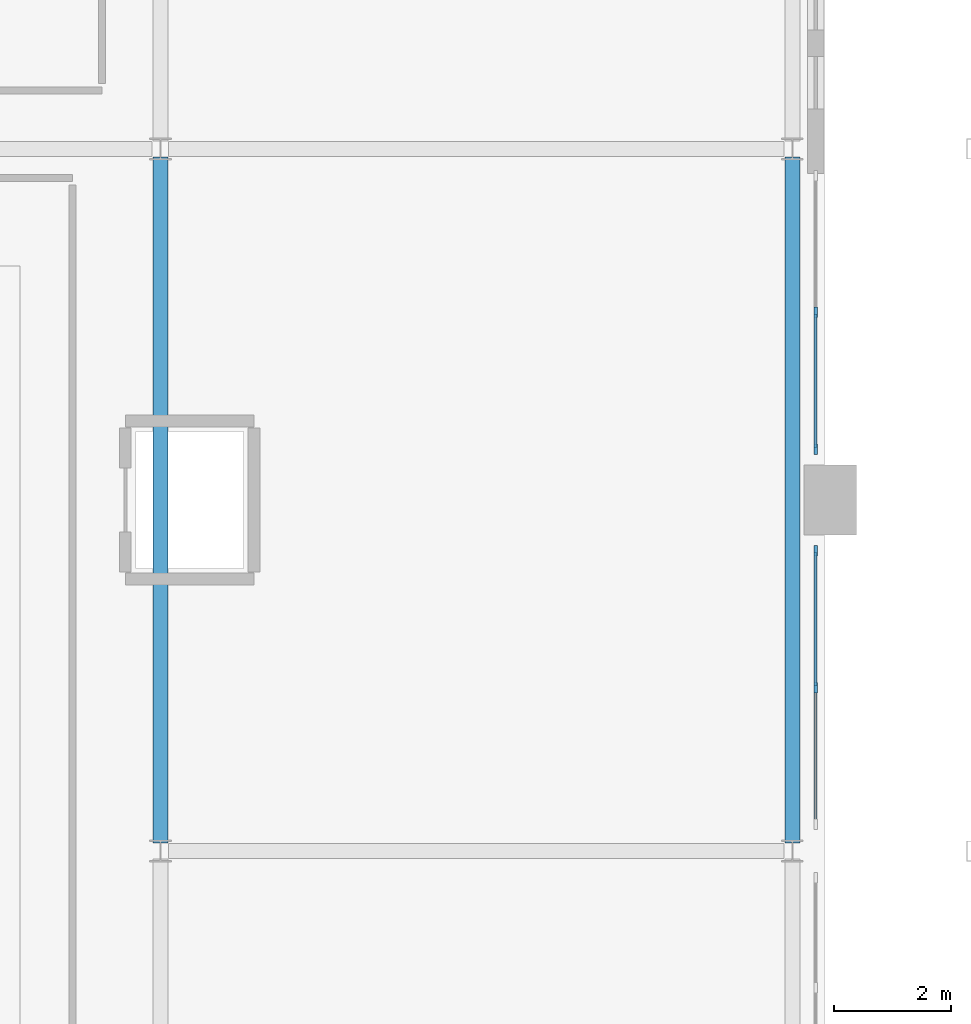
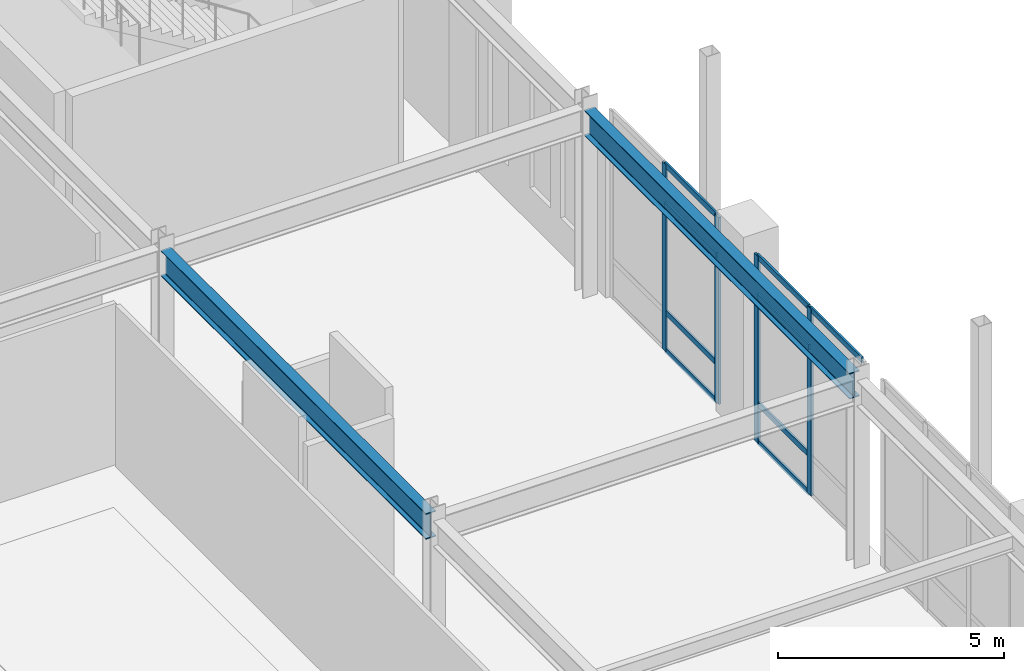
# One storey, part 73 of 159: 13 members, 2 beams, 2 elements without a shape of their own.
"""IFC4 building model written with IfcOpenShell, lengths in metres."""

import ifcopenshell
import ifcopenshell.guid

model = None  # the IFC model being written
_history = None  # IfcOwnerHistory: only IFC2X3 demands one
_inside = {}  # id of a spatial element -> (the spatial element, [elements in it])
_under = {}  # id of a project, library or spatial element -> (it, [spatial elements below it])
_declared = {}  # id of a project -> (the project, [libraries it declares])
_typed = {}  # id of a type object -> (the type object, [elements of that type])
_made_of = {}  # id of a material, layer set ... -> (it, [elements and type objects made of it])


def new_model(schema):
    """Start an empty IFC model of exactly this schema.

    Asked for "IFC4X3", IfcOpenShell would pick the latest addendum, in which some entities
    have other attributes; the version numbers below select the first issue.
    IFC2X3 requires an IfcOwnerHistory on every rooted entity: one is made here for all.
    """
    global model, _history
    if schema == "IFC4X3":
        model = ifcopenshell.file(schema_version=(4, 3, 0, 0))
    else:
        model = ifcopenshell.file(schema=schema)
    _inside.clear()
    _under.clear()
    _declared.clear()
    _typed.clear()
    _made_of.clear()
    _history = None
    if model.schema == "IFC2X3":
        org = make("IfcOrganization", Name="unknown")
        user = make(
            "IfcPersonAndOrganization",
            ThePerson=make("IfcPerson", FamilyName="unknown"),
            TheOrganization=org,
        )
        app = make(
            "IfcApplication",
            ApplicationDeveloper=org,
            Version="unknown",
            ApplicationFullName="unknown",
            ApplicationIdentifier="unknown",
        )
        _history = make(
            "IfcOwnerHistory",
            OwningUser=user,
            OwningApplication=app,
            ChangeAction="ADDED",
            CreationDate=0,
        )
    return model


def make(cls, **values):
    """One entity of the class cls with the attributes given. An attribute that is None is left unset."""
    return model.create_entity(
        cls, **{name: value for name, value in values.items() if value is not None}
    )


def rooted(cls, **values):
    """An entity with a GlobalId (a new one), such as an element, a storey or a relation."""
    return make(cls, GlobalId=ifcopenshell.guid.new(), OwnerHistory=_history, **values)


def si_unit(unit_type, name, prefix=None):
    """IfcSIUnit, for example si_unit("LENGTHUNIT", "METRE", prefix="MILLI")."""
    return make("IfcSIUnit", UnitType=unit_type, Prefix=prefix, Name=name)


def derived_unit(unit_type, elements):
    """IfcDerivedUnit: a product of units, each with its exponent."""
    return make(
        "IfcDerivedUnit",
        Elements=[
            make("IfcDerivedUnitElement", Unit=unit, Exponent=power)
            for unit, power in elements
        ],
        UnitType=unit_type,
    )


def assignment(units):
    """IfcUnitAssignment: the units of a project."""
    return None if units is None else make("IfcUnitAssignment", Units=units)


def point(xyz):
    """IfcCartesianPoint."""
    return None if xyz is None else make("IfcCartesianPoint", Coordinates=xyz)


def direction(xyz):
    """IfcDirection."""
    return None if xyz is None else make("IfcDirection", DirectionRatios=xyz)


def frame(location, z_axis=None, x_axis=None):
    """IfcAxis2Placement3D, a coordinate frame: its origin and axes. An axis left out is left unset."""
    return make(
        "IfcAxis2Placement3D",
        Location=point(location),
        Axis=direction(z_axis),
        RefDirection=direction(x_axis),
    )


def frame_2d(location, x_axis=None):
    """IfcAxis2Placement2D, a coordinate frame in the plane: its origin and x axis."""
    return make(
        "IfcAxis2Placement2D", Location=point(location), RefDirection=direction(x_axis)
    )


def origin():
    """The frame at (0, 0, 0) with its axes left unset."""
    return frame((0.0, 0.0, 0.0))


def origin_2d():
    """The frame at (0, 0) in the plane with its x axis left unset."""
    return frame_2d((0.0, 0.0))


def place(relative_to, where):
    """IfcLocalPlacement: puts the frame where relative to a parent placement (None: the world)."""
    return make(
        "IfcLocalPlacement", PlacementRelTo=relative_to, RelativePlacement=where
    )


def context(
    kind, dimensions, precision=None, world=None, true_north=None, identifier=None
):
    """IfcGeometricRepresentationContext, for example the 3D "Model" context."""
    return make(
        "IfcGeometricRepresentationContext",
        ContextIdentifier=identifier,
        ContextType=kind,
        CoordinateSpaceDimension=dimensions,
        Precision=precision,
        WorldCoordinateSystem=world,
        TrueNorth=true_north,
    )


def subcontext(parent, identifier, kind, view, scale=None):
    """IfcGeometricRepresentationSubContext, for example "Body" below "Model"."""
    return make(
        "IfcGeometricRepresentationSubContext",
        ContextIdentifier=identifier,
        ContextType=kind,
        ParentContext=parent,
        TargetScale=scale,
        TargetView=view,
    )


def project(units=None, contexts=None):
    """IfcProject with its units and contexts."""
    return rooted(
        "IfcProject",
        Name="project",
        RepresentationContexts=contexts,
        UnitsInContext=assignment(units),
    )


def spatial(cls, under=None, at=None, **own):
    """A site, building, storey or space (cls), placed at a placement, below another one or the project."""
    s = rooted(cls, ObjectPlacement=at, **own)
    if under is not None:
        _under.setdefault(under.id(), (under, []))[1].append(s)
    return s


def profile(cls, at=None, kind="AREA", **sizes):
    """A parametric profile (cls). Its sizes go by their IFC names, for example OverallWidth=200.0."""
    return make(cls, ProfileType=kind, Position=at, **sizes)


def rectangle(**sizes):
    """IfcRectangleProfileDef."""
    return profile("IfcRectangleProfileDef", **sizes)


def i_section(**sizes):
    """IfcIShapeProfileDef."""
    return profile("IfcIShapeProfileDef", **sizes)


def extrude(swept, where, along, depth):
    """IfcExtrudedAreaSolid: the profile swept, set in the frame where, extruded along a direction by depth."""
    return make(
        "IfcExtrudedAreaSolid",
        SweptArea=swept,
        Position=where,
        ExtrudedDirection=direction(along),
        Depth=depth,
    )


def shape(context_of_items, identifier, shape_type, items):
    """IfcShapeRepresentation: the items that make up one representation, for example the "Body"."""
    return make(
        "IfcShapeRepresentation",
        ContextOfItems=context_of_items,
        RepresentationIdentifier=identifier,
        RepresentationType=shape_type,
        Items=items,
    )


def material(Name=None, Category=None):
    """IfcMaterial."""
    return make("IfcMaterial", Name=Name, Category=Category)


def layer(
    of_material, thickness, ventilated=None, Name=None, Category=None, Priority=None
):
    """IfcMaterialLayer: one layer of a wall or slab, of a material (None: an air gap)."""
    return make(
        "IfcMaterialLayer",
        Material=of_material,
        LayerThickness=thickness,
        IsVentilated=ventilated,
        Name=Name,
        Category=Category,
        Priority=Priority,
    )


def layer_set(layers, Name=None):
    """IfcMaterialLayerSet."""
    return make("IfcMaterialLayerSet", MaterialLayers=layers, LayerSetName=Name)


def material_profile(
    of_material, cross_section, Name=None, Category=None, Priority=None
):
    """IfcMaterialProfile: a cross section and its material."""
    return make(
        "IfcMaterialProfile",
        Name=Name,
        Material=of_material,
        Profile=cross_section,
        Priority=Priority,
        Category=Category,
    )


def profile_set(profiles, Name=None, composite=None):
    """IfcMaterialProfileSet."""
    return make(
        "IfcMaterialProfileSet",
        Name=Name,
        MaterialProfiles=profiles,
        CompositeProfile=composite,
    )


def made_of(thing, what):
    """Note that an element or type object is made of a material, layer set ...; save() writes the relation."""
    if what is not None:
        _made_of.setdefault(what.id(), (what, []))[1].append(thing)
    return thing


def type_object(cls, material=None, **own):
    """A type object (cls), such as IfcWallType, which elements share."""
    return made_of(rooted(cls, **own), material)


def element(
    cls,
    number,
    at=None,
    inside=None,
    cuts=None,
    type_object=None,
    material=None,
    context=None,
    identifier="Body",
    shape_type=None,
    held_by="IfcProductDefinitionShape",
    body=None,
    shapes=None,
    **own,
):
    """One element of the class cls, such as IfcWall. Its Tag is "e" and its number.

    at: its placement. inside: the storey or other place that contains it. cuts: it is an
    opening in that element (IfcRelVoidsElement). A single representation is given by context,
    identifier, shape_type and body (its items); several are given by shapes. held_by: the class
    of the entity that holds the representations. save() writes the other relations.
    """
    e = rooted(cls, Tag="e%d" % number, ObjectPlacement=at, **own)
    if body is not None:
        shapes = [shape(context, identifier, shape_type, body)]
    if shapes is not None:
        e.Representation = make(held_by, Representations=shapes)
    if inside is not None:
        _inside.setdefault(inside.id(), (inside, []))[1].append(e)
    if cuts is not None:
        rooted(
            "IfcRelVoidsElement", RelatingBuildingElement=cuts, RelatedOpeningElement=e
        )
    if type_object is not None:
        _typed.setdefault(type_object.id(), (type_object, []))[1].append(e)
    return made_of(e, material)


def aggregate(whole, parts):
    """IfcRelAggregates: a whole, such as a stair, and the parts it consists of."""
    return rooted("IfcRelAggregates", RelatingObject=whole, RelatedObjects=parts)


def save(model, path):
    """Write the relations noted so far, then the file.

    IfcRelAggregates (storeys below a building ...), IfcRelContainedInSpatialStructure (elements
    in a storey), IfcRelDefinesByType, IfcRelAssociatesMaterial and IfcRelDeclares: one each for
    every whole, place, type object, material and project.
    """
    for whole, parts in _under.values():
        aggregate(whole, parts)
    for where, things in _inside.values():
        rooted(
            "IfcRelContainedInSpatialStructure",
            RelatedElements=things,
            RelatingStructure=where,
        )
    for kind, things in _typed.values():
        rooted("IfcRelDefinesByType", RelatedObjects=things, RelatingType=kind)
    for what, things in _made_of.values():
        rooted("IfcRelAssociatesMaterial", RelatedObjects=things, RelatingMaterial=what)
    for by, libraries in _declared.values():
        rooted("IfcRelDeclares", RelatingContext=by, RelatedDefinitions=libraries)
    model.write(path)


model = new_model("IFC4")

# Units and contexts
model_context = context("Model", 3, precision=1e-05, world=origin(), true_north=direction((0.0, 1.0)))
body_context = subcontext(model_context, "Body", "Model", "MODEL_VIEW")
ifc_project = project(units=[si_unit("LENGTHUNIT", "METRE"), si_unit("AREAUNIT", "SQUARE_METRE"), si_unit("VOLUMEUNIT", "CUBIC_METRE"), si_unit("PLANEANGLEUNIT", "RADIAN"), si_unit("MASSUNIT", "GRAM", prefix="KILO"), derived_unit("THERMALTRANSMITTANCEUNIT", [(si_unit("MASSUNIT", "GRAM", prefix="KILO"), 1), (si_unit("TIMEUNIT", "SECOND"), -3), (si_unit("THERMODYNAMICTEMPERATUREUNIT", "KELVIN"), -1)])], contexts=[model_context])

# Site, building, storey
site_placement = place(None, origin())
site = spatial("IfcSite", under=ifc_project, at=site_placement, CompositionType="ELEMENT")
building_placement = place(site_placement, origin())
building = spatial("IfcBuilding", under=site, at=building_placement, Name="Valcora Ridge Arena", CompositionType="ELEMENT")
storey_placement = place(building_placement, frame((0.0, 0.0, 6.0)))
storey = spatial("IfcBuildingStorey", under=building, at=storey_placement, Name="L01", CompositionType="ELEMENT", Elevation=6.0)

# Beams
ifc_material_1 = material(Name="Steel ASTM A572 Grade 50", Category="steel")
ifc_material_profile_1 = material_profile(ifc_material_1, i_section(OverallWidth=0.256103515625, OverallDepth=0.693115234375, WebThickness=0.014404296875, FlangeThickness=0.023681640625, FilletRadius=0.02001953125, at=origin_2d()), Name="W27X114")
ifc_profile_set_1 = profile_set([ifc_material_profile_1], Name="Steel ASTM A572 Grade 50")
beam_type = type_object("IfcBeamType", Name="TY-BEAM-G-W27X114-Y", PredefinedType="BEAM", material=ifc_profile_set_1)
for number, where, z_axis, x_axis, name in (
    (1, (176.0, 54.139892578125, 4.693603515625), (0.0, 1.0, 0.0), (-1.0, 0.0, 0.0), "G-W27X114-Y BEM-G-W27X114-Y-0051"),
    (2, (186.800048828125, 54.139892578125, 4.693603515625), (0.0, 1.0, 0.0), (-1.0, 0.0, 0.0), "G-W27X114-Y BEM-G-W27X114-Y-0057"),
):
    element("IfcBeam", number, at=place(storey_placement, frame(where, z_axis=z_axis, x_axis=x_axis)), inside=storey, type_object=beam_type, Name=name, PredefinedType="BEAM", context=body_context, shape_type="SweptSolid", body=[
        extrude(i_section(OverallWidth=0.256103515625, OverallDepth=0.693115234375, WebThickness=0.014404296875, FlangeThickness=0.023681640625, FilletRadius=0.02001953125, at=origin_2d()), origin(), (0.0, 0.0, 1.0), 11.72021484375),
    ])

# Curtain wall, members
ifc_material_2 = material(Name="Anodised dark bronze architectural aluminium 6063-T6", Category="aluminium")
ifc_layer = layer(ifc_material_2, 0.179931640625, Name="Anodised dark bronze architectural aluminium 6063-T6")
ifc_layer_set = layer_set([ifc_layer], Name="Anodised dark bronze architectural aluminium 6063-T6")
curtain_wall_type = type_object("IfcCurtainWallType", Name="TY-CURTAINWALL-CW-V2-GLAZ-047X50", PredefinedType="NOTDEFINED", material=ifc_layer_set)
curtain_wall_1_placement = place(storey_placement, origin())
curtain_wall_1 = element("IfcCurtainWall", 3, at=curtain_wall_1_placement, inside=storey, type_object=curtain_wall_type, Name="CW-V2-GLAZ-047X50 CW-0055", PredefinedType="NOTDEFINED")
ifc_material_profile_2 = material_profile(ifc_material_2, rectangle(XDim=0.06005859375, YDim=0.179931640625, at=origin_2d()), Name="ALU MULLION 60x180")
ifc_profile_set_2 = profile_set([ifc_material_profile_2], Name="Anodised dark bronze architectural aluminium 6063-T6")
member_type_1 = type_object("IfcMemberType", Name="TY-MEM-CWM-60x180", PredefinedType="MULLION", material=ifc_profile_set_2)
member_1_placement = place(storey_placement, frame((187.199951171875, 56.793212890625, 0.0), z_axis=(0.0, 0.0, 1.0), x_axis=(-1.0, 0.0, 0.0)))
member_1 = element("IfcMember", 4, at=member_1_placement, type_object=member_type_1, Name="CW-0055/CWM-60x180/M01", PredefinedType="MULLION", context=body_context, shape_type="SweptSolid", body=[
    extrude(rectangle(XDim=0.06005859375, YDim=0.179931640625, at=origin_2d()), origin(), (0.0, 0.0, 1.0), 5.0400390625),
])
member_2_placement = place(storey_placement, frame((187.199951171875, 59.1298828125, 0.0), z_axis=(0.0, 0.0, 1.0), x_axis=(-1.0, 0.0, 0.0)))
member_2 = element("IfcMember", 5, at=member_2_placement, type_object=member_type_1, Name="CW-0055/CWM-60x180/M02", PredefinedType="MULLION", context=body_context, shape_type="SweptSolid", body=[
    extrude(rectangle(XDim=0.06005859375, YDim=0.179931640625, at=origin_2d()), origin(), (0.0, 0.0, 1.0), 5.0400390625),
])

curtain_wall_2_placement = place(storey_placement, origin())
curtain_wall_2 = element("IfcCurtainWall", 6, at=curtain_wall_2_placement, inside=storey, type_object=curtain_wall_type, Name="CW-V2-GLAZ-047X50 CW-0056", PredefinedType="NOTDEFINED")
member_3_placement = place(storey_placement, frame((187.199951171875, 60.8701171875, 0.0), z_axis=(0.0, 0.0, 1.0), x_axis=(-1.0, 0.0, 0.0)))
member_3 = element("IfcMember", 7, at=member_3_placement, type_object=member_type_1, Name="CW-0056/CWM-60x180/M00", PredefinedType="MULLION", context=body_context, shape_type="SweptSolid", body=[
    extrude(rectangle(XDim=0.06005859375, YDim=0.179931640625, at=origin_2d()), origin(), (0.0, 0.0, 1.0), 5.0400390625),
])
member_4_placement = place(storey_placement, frame((187.199951171875, 63.206787109375, 0.0), z_axis=(0.0, 0.0, 1.0), x_axis=(-1.0, 0.0, 0.0)))
member_4 = element("IfcMember", 8, at=member_4_placement, type_object=member_type_1, Name="CW-0056/CWM-60x180/M01", PredefinedType="MULLION", context=body_context, shape_type="SweptSolid", body=[
    extrude(rectangle(XDim=0.06005859375, YDim=0.179931640625, at=origin_2d()), origin(), (0.0, 0.0, 1.0), 5.0400390625),
])

# Member
ifc_material_profile_3 = material_profile(ifc_material_2, rectangle(XDim=0.050048828125, YDim=0.14990234375, at=origin_2d()), Name="ALU TRANSOM 50x150")
ifc_profile_set_3 = profile_set([ifc_material_profile_3], Name="Anodised dark bronze architectural aluminium 6063-T6")
member_type_2 = type_object("IfcMemberType", Name="TY-MEM-CWT-50x150", PredefinedType="USERDEFINED", material=ifc_profile_set_3)
member_5_placement = place(storey_placement, frame((187.199951171875, 54.486572265625, 5.014892578125), z_axis=(0.0, 1.0, 0.0), x_axis=(-1.0, 0.0, 0.0)))
member_5 = element("IfcMember", 9, at=member_5_placement, type_object=member_type_2, Name="CW-0055/CWT-50x150/T00-03", ObjectType="TRANSOM", PredefinedType="USERDEFINED", context=body_context, shape_type="SweptSolid", body=[
    extrude(rectangle(XDim=0.050048828125, YDim=0.14990234375, at=origin_2d()), origin(), (0.0, 0.0, 1.0), 2.27685546875),
])

member_6_placement = place(storey_placement, frame((187.199951171875, 56.823486328125, 0.02490234375), z_axis=(0.0, 1.0, 0.0), x_axis=(-1.0, 0.0, 0.0)))
member_6 = element("IfcMember", 10, at=member_6_placement, type_object=member_type_2, Name="CW-0055/CWT-50x150/T01-00", ObjectType="TRANSOM", PredefinedType="USERDEFINED", context=body_context, shape_type="SweptSolid", body=[
    extrude(rectangle(XDim=0.050048828125, YDim=0.14990234375, at=origin_2d()), origin(), (0.0, 0.0, 1.0), 2.276123046875),
])

member_7_placement = place(storey_placement, frame((187.199951171875, 56.823486328125, 1.050048828125), z_axis=(0.0, 1.0, 0.0), x_axis=(-1.0, 0.0, 0.0)))
member_7 = element("IfcMember", 11, at=member_7_placement, type_object=member_type_2, Name="CW-0055/CWT-50x150/T01-01", ObjectType="TRANSOM", PredefinedType="USERDEFINED", context=body_context, shape_type="SweptSolid", body=[
    extrude(rectangle(XDim=0.050048828125, YDim=0.14990234375, at=origin_2d()), origin(), (0.0, 0.0, 1.0), 2.276123046875),
])

member_8_placement = place(storey_placement, frame((187.199951171875, 56.823486328125, 3.93994140625), z_axis=(0.0, 1.0, 0.0), x_axis=(-1.0, 0.0, 0.0)))
member_8 = element("IfcMember", 12, at=member_8_placement, type_object=member_type_2, Name="CW-0055/CWT-50x150/T01-02", ObjectType="TRANSOM", PredefinedType="USERDEFINED", context=body_context, shape_type="SweptSolid", body=[
    extrude(rectangle(XDim=0.050048828125, YDim=0.14990234375, at=origin_2d()), origin(), (0.0, 0.0, 1.0), 2.276123046875),
])

member_9_placement = place(storey_placement, frame((187.199951171875, 56.823486328125, 5.014892578125), z_axis=(0.0, 1.0, 0.0), x_axis=(-1.0, 0.0, 0.0)))
member_9 = element("IfcMember", 13, at=member_9_placement, type_object=member_type_2, Name="CW-0055/CWT-50x150/T01-03", ObjectType="TRANSOM", PredefinedType="USERDEFINED", context=body_context, shape_type="SweptSolid", body=[
    extrude(rectangle(XDim=0.050048828125, YDim=0.14990234375, at=origin_2d()), origin(), (0.0, 0.0, 1.0), 2.276123046875),
])

aggregate(curtain_wall_1, [member_1, member_2, member_5, member_6, member_7, member_8, member_9])

member_10_placement = place(storey_placement, frame((187.199951171875, 60.89990234375, 0.02490234375), z_axis=(0.0, 1.0, 0.0), x_axis=(-1.0, 0.0, 0.0)))
member_10 = element("IfcMember", 14, at=member_10_placement, type_object=member_type_2, Name="CW-0056/CWT-50x150/T00-00", ObjectType="TRANSOM", PredefinedType="USERDEFINED", context=body_context, shape_type="SweptSolid", body=[
    extrude(rectangle(XDim=0.050048828125, YDim=0.14990234375, at=origin_2d()), origin(), (0.0, 0.0, 1.0), 2.277099609375),
])

member_11_placement = place(storey_placement, frame((187.199951171875, 60.89990234375, 1.050048828125), z_axis=(0.0, 1.0, 0.0), x_axis=(-1.0, 0.0, 0.0)))
member_11 = element("IfcMember", 15, at=member_11_placement, type_object=member_type_2, Name="CW-0056/CWT-50x150/T00-01", ObjectType="TRANSOM", PredefinedType="USERDEFINED", context=body_context, shape_type="SweptSolid", body=[
    extrude(rectangle(XDim=0.050048828125, YDim=0.14990234375, at=origin_2d()), origin(), (0.0, 0.0, 1.0), 2.277099609375),
])

member_12_placement = place(storey_placement, frame((187.199951171875, 60.89990234375, 3.93994140625), z_axis=(0.0, 1.0, 0.0), x_axis=(-1.0, 0.0, 0.0)))
member_12 = element("IfcMember", 16, at=member_12_placement, type_object=member_type_2, Name="CW-0056/CWT-50x150/T00-02", ObjectType="TRANSOM", PredefinedType="USERDEFINED", context=body_context, shape_type="SweptSolid", body=[
    extrude(rectangle(XDim=0.050048828125, YDim=0.14990234375, at=origin_2d()), origin(), (0.0, 0.0, 1.0), 2.277099609375),
])

member_13_placement = place(storey_placement, frame((187.199951171875, 60.89990234375, 5.014892578125), z_axis=(0.0, 1.0, 0.0), x_axis=(-1.0, 0.0, 0.0)))
member_13 = element("IfcMember", 17, at=member_13_placement, type_object=member_type_2, Name="CW-0056/CWT-50x150/T00-03", ObjectType="TRANSOM", PredefinedType="USERDEFINED", context=body_context, shape_type="SweptSolid", body=[
    extrude(rectangle(XDim=0.050048828125, YDim=0.14990234375, at=origin_2d()), origin(), (0.0, 0.0, 1.0), 2.277099609375),
])

aggregate(curtain_wall_2, [member_3, member_4, member_10, member_11, member_12, member_13])

save(model, "model.ifc")
